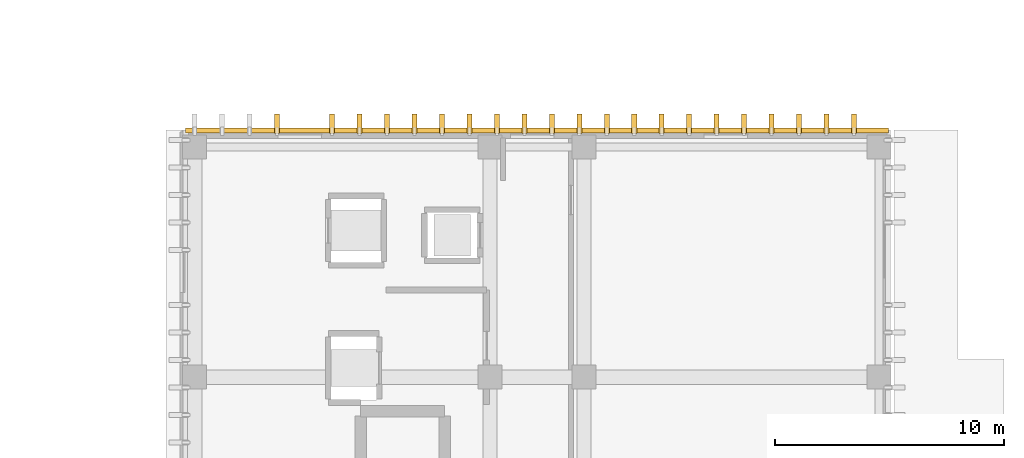
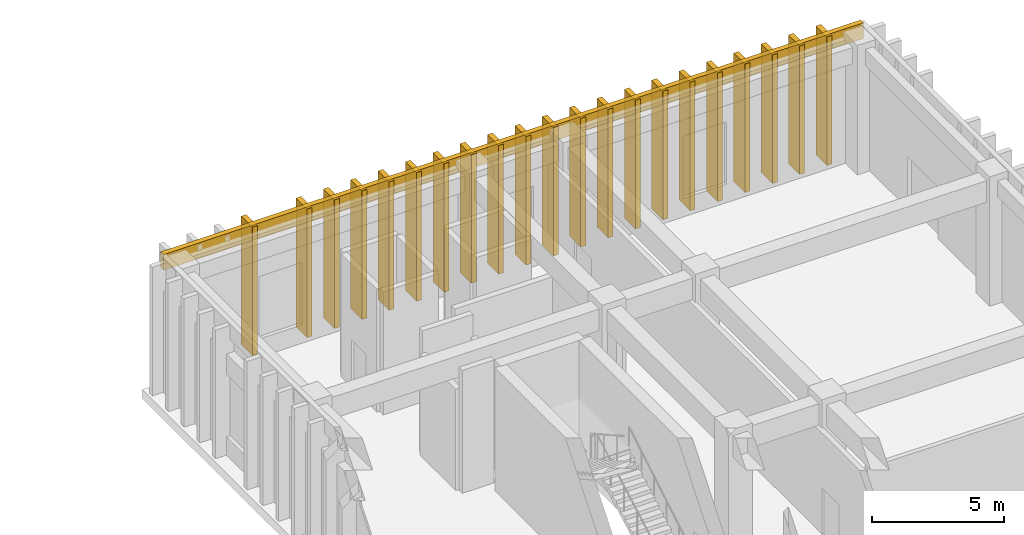
# One storey, part 86 of 87: 22 coverings, 21 shading devices.
"""IFC4 building model written with IfcOpenShell, lengths in metres."""

from ifc_helpers import new_model, si_unit, direction, frame, origin, origin_2d, place, context, subcontext, project, spatial, rectangle, extrude, material, layer, layer_set, type_object, element, save


model = new_model("IFC4")

# Units and contexts
model_context = context("Model", 3, precision=1e-05, world=origin(), true_north=direction((0.0, 1.0)))
body_context = subcontext(model_context, "Body", "Model", "MODEL_VIEW")
ifc_project = project(units=[si_unit("LENGTHUNIT", "METRE"), si_unit("AREAUNIT", "SQUARE_METRE"), si_unit("VOLUMEUNIT", "CUBIC_METRE"), si_unit("PLANEANGLEUNIT", "RADIAN"), si_unit("MASSUNIT", "GRAM", prefix="KILO")], contexts=[model_context])

# Site, building, storey
site_placement = place(None, origin())
site = spatial("IfcSite", under=ifc_project, at=site_placement, CompositionType="ELEMENT")
building_placement = place(site_placement, origin())
building = spatial("IfcBuilding", under=site, at=building_placement, Name="Nakhvara Creek Congress Hotel", CompositionType="ELEMENT")
storey_placement = place(building_placement, origin())
storey = spatial("IfcBuildingStorey", under=building, at=storey_placement, Name="L00", CompositionType="ELEMENT", Elevation=0.0)

# Coverings
ifc_material_1 = material(Name="Honed pale Omani limestone architectural cladding", Category="masonry")
ifc_layer_1 = layer(ifc_material_1, 0.219970703125)
ifc_layer_set_1 = layer_set([ifc_layer_1], Name="Honed pale Omani limestone architectural cladding")
covering_type_1 = type_object("IfcCoveringType", Name="COV-FIN-850", PredefinedType="CLADDING", material=ifc_layer_set_1)
for number, where, z_axis, x_axis, name in (
    (1, (153.050048828125, 126.264892578125, 0.0), (0.0, 0.0, 1.0), (1.0, 0.0, 0.0), "Pale Limestone Fin Cladding CF01-0640"),
    (2, (155.449951171875, 126.264892578125, 0.0), (0.0, 0.0, 1.0), (1.0, 0.0, 0.0), "Pale Limestone Fin Cladding CF01-0643"),
    (3, (156.64990234375, 126.264892578125, 0.0), (0.0, 0.0, 1.0), (1.0, 0.0, 0.0), "Pale Limestone Fin Cladding CF01-0644"),
    (4, (157.85009765625, 126.264892578125, 0.0), (0.0, 0.0, 1.0), (1.0, 0.0, 0.0), "Pale Limestone Fin Cladding CF01-0645"),
    (5, (159.050048828125, 126.264892578125, 0.0), (0.0, 0.0, 1.0), (1.0, 0.0, 0.0), "Pale Limestone Fin Cladding CF01-0647"),
    (6, (160.25, 126.264892578125, 0.0), (0.0, 0.0, 1.0), (1.0, 0.0, 0.0), "Pale Limestone Fin Cladding CF01-0649"),
    (7, (161.449951171875, 126.264892578125, 0.0), (0.0, 0.0, 1.0), (1.0, 0.0, 0.0), "Pale Limestone Fin Cladding CF01-0651"),
    (8, (162.64990234375, 126.264892578125, 0.0), (0.0, 0.0, 1.0), (1.0, 0.0, 0.0), "Pale Limestone Fin Cladding CF01-0653"),
    (9, (163.85009765625, 126.264892578125, 0.0), (0.0, 0.0, 1.0), (1.0, 0.0, 0.0), "Pale Limestone Fin Cladding CF01-0655"),
    (10, (165.050048828125, 126.264892578125, 0.0), (0.0, 0.0, 1.0), (1.0, 0.0, 0.0), "Pale Limestone Fin Cladding CF01-0656"),
    (11, (166.25, 126.264892578125, 0.0), (0.0, 0.0, 1.0), (1.0, 0.0, 0.0), "Pale Limestone Fin Cladding CF01-0657"),
    (12, (167.449951171875, 126.264892578125, 0.0), (0.0, 0.0, 1.0), (1.0, 0.0, 0.0), "Pale Limestone Fin Cladding CF01-0659"),
    (13, (168.64990234375, 126.264892578125, 0.0), (0.0, 0.0, 1.0), (1.0, 0.0, 0.0), "Pale Limestone Fin Cladding CF01-0661"),
    (14, (169.85009765625, 126.264892578125, 0.0), (0.0, 0.0, 1.0), (1.0, 0.0, 0.0), "Pale Limestone Fin Cladding CF01-0663"),
    (15, (171.050048828125, 126.264892578125, 0.0), (0.0, 0.0, 1.0), (1.0, 0.0, 0.0), "Pale Limestone Fin Cladding CF01-0665"),
    (16, (172.25, 126.264892578125, 0.0), (0.0, 0.0, 1.0), (1.0, 0.0, 0.0), "Pale Limestone Fin Cladding CF01-0667"),
    (17, (173.449951171875, 126.264892578125, 0.0), (0.0, 0.0, 1.0), (1.0, 0.0, 0.0), "Pale Limestone Fin Cladding CF01-0669"),
    (18, (174.64990234375, 126.264892578125, 0.0), (0.0, 0.0, 1.0), (1.0, 0.0, 0.0), "Pale Limestone Fin Cladding CF01-0671"),
    (19, (175.85009765625, 126.264892578125, 0.0), (0.0, 0.0, 1.0), (1.0, 0.0, 0.0), "Pale Limestone Fin Cladding CF01-0672"),
    (20, (177.050048828125, 126.264892578125, 0.0), (0.0, 0.0, 1.0), (1.0, 0.0, 0.0), "Pale Limestone Fin Cladding CF01-0673"),
    (21, (178.25, 126.264892578125, 0.0), (0.0, 0.0, 1.0), (1.0, 0.0, 0.0), "Pale Limestone Fin Cladding CF01-0675"),
):
    element("IfcCovering", number, at=place(storey_placement, frame(where, z_axis=z_axis, x_axis=x_axis)), inside=storey, type_object=covering_type_1, Name=name, PredefinedType="CLADDING", context=body_context, shape_type="SweptSolid", body=[
        extrude(rectangle(XDim=0.219970703125, YDim=0.85009765625, at=origin_2d()), origin(), (0.0, 0.0, 1.0), 5.9599609375),
    ])
ifc_layer_2 = layer(ifc_material_1, 0.179931640625)
ifc_layer_set_2 = layer_set([ifc_layer_2], Name="Honed pale Omani limestone architectural cladding")
covering_type_2 = type_object("IfcCoveringType", Name="COV-SPN-180", PredefinedType="CLADDING", material=ifc_layer_set_2)
covering_placement = place(storey_placement, frame((164.39990234375, 125.969970703125, 5.31005859375), z_axis=(0.0, 0.0, 1.0), x_axis=(1.0, 0.0, 0.0)))
element("IfcCovering", 22, at=covering_placement, inside=storey, type_object=covering_type_2, Name="Pale Limestone Spandrel Band CF02-0043", PredefinedType="CLADDING", context=body_context, shape_type="SweptSolid", body=[
    extrude(rectangle(XDim=30.699951171875, YDim=0.219970703125, at=origin_2d()), origin(), (0.0, 0.0, 1.0), 0.72998046875),
])

# Shading devices
ifc_material_2 = material(Name="Honed pale Omani limestone cladding on stainless steel spine", Category="masonry")
shading_device_type = type_object("IfcShadingDeviceType", Name="SHD-FIN-850X5800", PredefinedType="USERDEFINED", material=ifc_material_2)
for number, where, z_axis, x_axis, name in (
    (23, (153.050048828125, 126.264892578125, 0.0), (0.0, 0.0, 1.0), (1.0, 0.0, 0.0), "Limestone Solar Fin FN03-0505"),
    (24, (155.449951171875, 126.264892578125, 0.0), (0.0, 0.0, 1.0), (1.0, 0.0, 0.0), "Limestone Solar Fin FN03-0508"),
    (25, (156.64990234375, 126.264892578125, 0.0), (0.0, 0.0, 1.0), (1.0, 0.0, 0.0), "Limestone Solar Fin FN03-0509"),
    (26, (157.85009765625, 126.264892578125, 0.0), (0.0, 0.0, 1.0), (1.0, 0.0, 0.0), "Limestone Solar Fin FN03-0510"),
    (27, (159.050048828125, 126.264892578125, 0.0), (0.0, 0.0, 1.0), (1.0, 0.0, 0.0), "Limestone Solar Fin FN03-0512"),
    (28, (160.25, 126.264892578125, 0.0), (0.0, 0.0, 1.0), (1.0, 0.0, 0.0), "Limestone Solar Fin FN03-0514"),
    (29, (161.449951171875, 126.264892578125, 0.0), (0.0, 0.0, 1.0), (1.0, 0.0, 0.0), "Limestone Solar Fin FN03-0516"),
    (30, (162.64990234375, 126.264892578125, 0.0), (0.0, 0.0, 1.0), (1.0, 0.0, 0.0), "Limestone Solar Fin FN03-0518"),
    (31, (163.85009765625, 126.264892578125, 0.0), (0.0, 0.0, 1.0), (1.0, 0.0, 0.0), "Limestone Solar Fin FN03-0520"),
    (32, (165.050048828125, 126.264892578125, 0.0), (0.0, 0.0, 1.0), (1.0, 0.0, 0.0), "Limestone Solar Fin FN03-0521"),
    (33, (166.25, 126.264892578125, 0.0), (0.0, 0.0, 1.0), (1.0, 0.0, 0.0), "Limestone Solar Fin FN03-0522"),
    (34, (167.449951171875, 126.264892578125, 0.0), (0.0, 0.0, 1.0), (1.0, 0.0, 0.0), "Limestone Solar Fin FN03-0524"),
    (35, (168.64990234375, 126.264892578125, 0.0), (0.0, 0.0, 1.0), (1.0, 0.0, 0.0), "Limestone Solar Fin FN03-0526"),
    (36, (169.85009765625, 126.264892578125, 0.0), (0.0, 0.0, 1.0), (1.0, 0.0, 0.0), "Limestone Solar Fin FN03-0528"),
    (37, (171.050048828125, 126.264892578125, 0.0), (0.0, 0.0, 1.0), (1.0, 0.0, 0.0), "Limestone Solar Fin FN03-0530"),
    (38, (172.25, 126.264892578125, 0.0), (0.0, 0.0, 1.0), (1.0, 0.0, 0.0), "Limestone Solar Fin FN03-0532"),
    (39, (173.449951171875, 126.264892578125, 0.0), (0.0, 0.0, 1.0), (1.0, 0.0, 0.0), "Limestone Solar Fin FN03-0534"),
    (40, (174.64990234375, 126.264892578125, 0.0), (0.0, 0.0, 1.0), (1.0, 0.0, 0.0), "Limestone Solar Fin FN03-0536"),
    (41, (175.85009765625, 126.264892578125, 0.0), (0.0, 0.0, 1.0), (1.0, 0.0, 0.0), "Limestone Solar Fin FN03-0537"),
    (42, (177.050048828125, 126.264892578125, 0.0), (0.0, 0.0, 1.0), (1.0, 0.0, 0.0), "Limestone Solar Fin FN03-0538"),
    (43, (178.25, 126.264892578125, 0.0), (0.0, 0.0, 1.0), (1.0, 0.0, 0.0), "Limestone Solar Fin FN03-0540"),
):
    element("IfcShadingDevice", number, at=place(storey_placement, frame(where, z_axis=z_axis, x_axis=x_axis)), inside=storey, type_object=shading_device_type, Name=name, ObjectType="FIN", PredefinedType="USERDEFINED", context=body_context, shape_type="SweptSolid", body=[
        extrude(rectangle(XDim=0.219970703125, YDim=0.85009765625, at=origin_2d()), origin(), (0.0, 0.0, 1.0), 5.9599609375),
    ])

save(model, "model.ifc")
